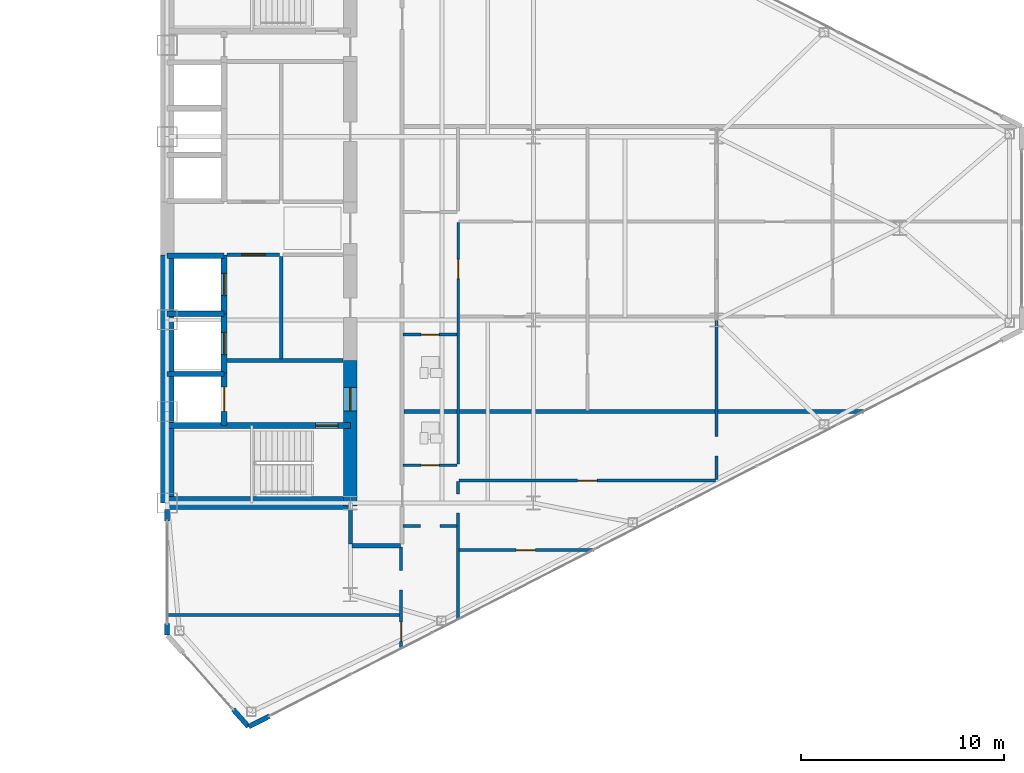
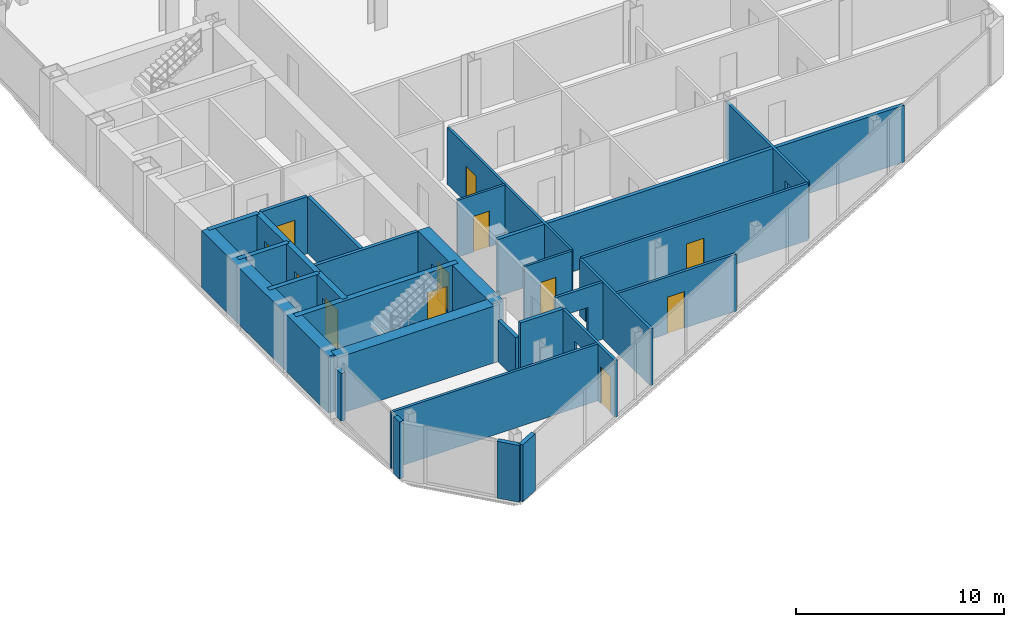
# One storey, part 18 of 23: 30 walls, 12 doors, 16 openings.
"""IFC4 building model written with IfcOpenShell, lengths in metres."""

from ifc_helpers import new_model, si_unit, direction, frame, frame_2d, origin, place, context, subcontext, project, spatial, rectangle, extrude, source, transform, mapped, material, layer, layer_set, type_object, type_shapes, element, fill, save


model = new_model("IFC4")

# Units and contexts
model_context = context("Model", 3, precision=1e-05, world=origin(), true_north=direction((0.0, 1.0)))
body_context = subcontext(model_context, "Body", "Model", "MODEL_VIEW")
ifc_project = project(units=[si_unit("LENGTHUNIT", "METRE"), si_unit("AREAUNIT", "SQUARE_METRE"), si_unit("VOLUMEUNIT", "CUBIC_METRE"), si_unit("PLANEANGLEUNIT", "RADIAN"), si_unit("MASSUNIT", "GRAM", prefix="KILO")], contexts=[model_context])

# Site, building, storey
site_placement = place(None, origin())
site = spatial("IfcSite", under=ifc_project, at=site_placement, CompositionType="ELEMENT")
building_placement = place(site_placement, origin())
building = spatial("IfcBuilding", under=site, at=building_placement, Name="Seokmaru Belvedere", CompositionType="ELEMENT")
storey_placement = place(building_placement, frame((0.0, 0.0, 132.0)))
storey = spatial("IfcBuildingStorey", under=building, at=storey_placement, Name="L35", CompositionType="ELEMENT", Elevation=132.0)

# Wall
ifc_material_1 = material(Name="Fire-Rated Gypsum Shaftwall")
ifc_layer_1 = layer(ifc_material_1, 0.14990234375)
ifc_layer_set_1 = layer_set([ifc_layer_1], Name="Fire-Rated Gypsum Shaftwall")
wall_type_1 = type_object("IfcWallType", Name="Apartment Fire-Acoustic Room Partition 150", PredefinedType="PARTITIONING", material=ifc_layer_set_1)
wall_1_placement = place(storey_placement, frame((27.465087890625, -19.0, 0.0), z_axis=(0.0, 0.0, 1.0), x_axis=(1.0, 0.0, 0.0)))
element("IfcWall", 1, at=wall_1_placement, inside=storey, type_object=wall_type_1, Name="L35 Interior Partition 001", PredefinedType="PARTITIONING", context=body_context, shape_type="SweptSolid", body=[
    extrude(rectangle(XDim=11.48486328125, YDim=0.14990234375, at=frame_2d((5.742431640625, 0.0))), origin(), (0.0, 0.0, 1.0), 3.340087890625),
])

# Wall, opening, door
wall_2_placement = place(storey_placement, frame((41.85009765625, -15.81005859375, 0.0), z_axis=(0.0, 0.0, 1.0), x_axis=(1.0, 0.0, 0.0)))
wall_2 = element("IfcWall", 2, at=wall_2_placement, inside=storey, type_object=wall_type_1, Name="L35 Interior Partition 002", PredefinedType="PARTITIONING", context=body_context, shape_type="SweptSolid", body=[
    extrude(rectangle(XDim=6.619873046875, YDim=0.14990234375, at=frame_2d((3.31005859375, 0.0))), origin(), (0.0, 0.0, 1.0), 3.340087890625),
])
opening_1_placement = place(wall_2_placement, frame((2.79248046875, 0.0, 0.0)))
opening_1 = element("IfcOpeningElement", 3, at=opening_1_placement, cuts=wall_2, Name="Opening D05", PredefinedType="OPENING", context=body_context, shape_type="SweptSolid", body=[
    extrude(rectangle(XDim=0.949951171875, YDim=2.14990234375, at=frame_2d((0.47509765625, 1.074951171875))), frame((0.0, 0.0849609375, 0.0), z_axis=(0.0, -1.0, 0.0), x_axis=(1.0, 0.0, 0.0)), (0.0, 0.0, 1.0), 0.169921875),
])
ifc_material_2 = material(Name="Engineered White Oak Timber", Category="wood")
door_type_1 = type_object("IfcDoorType", Name="Apartment Interior Fire-Rated Oak Door 950x2150", OperationType="NOTDEFINED", PredefinedType="DOOR", material=ifc_material_2)
shared_shape_1 = source(origin(), body_context, "Body", "SweptSolid", [
    extrude(rectangle(XDim=0.949951171875, YDim=2.14990234375, at=frame_2d((0.47509765625, 1.074951171875))), frame((0.0, 0.02490234375, 0.0), z_axis=(0.0, -1.0, 0.0), x_axis=(1.0, 0.0, 0.0)), (0.0, 0.0, 1.0), 0.050048828125),
])
type_shapes(door_type_1, [shared_shape_1])
door_1_placement = place(opening_1_placement, origin())
door_1 = element("IfcDoor", 4, at=door_1_placement, inside=storey, type_object=door_type_1, Name="L35 Interior Door 019", OperationType="SINGLE_SWING_RIGHT", OverallHeight=2.14990234375, OverallWidth=0.949951171875, PredefinedType="DOOR", context=body_context, shape_type="MappedRepresentation", body=[
    mapped(shared_shape_1, transform((0.0, 0.0, 0.0), scale=1.0)),
])
fill(opening_1, door_1)

# Wall, opening
wall_3_placement = place(storey_placement, frame((39.10009765625, -14.639892578125, 0.0), z_axis=(0.0, 0.0, 1.0), x_axis=(1.0, 0.0, 0.0)))
wall_3 = element("IfcWall", 5, at=wall_3_placement, inside=storey, type_object=wall_type_1, Name="L35 Interior Partition 005", PredefinedType="PARTITIONING", context=body_context, shape_type="SweptSolid", body=[
    extrude(rectangle(XDim=2.64990234375, YDim=0.14990234375, at=frame_2d((1.324951171875, 0.0))), origin(), (0.0, 0.0, 1.0), 3.340087890625),
])
opening_2_placement = place(wall_3_placement, frame((0.85009765625, 0.0, 0.0)))
element("IfcOpeningElement", 6, at=opening_2_placement, cuts=wall_3, Name="L35 Cased Opening 017", PredefinedType="OPENING", context=body_context, shape_type="SweptSolid", body=[
    extrude(rectangle(XDim=0.949951171875, YDim=2.14990234375, at=frame_2d((0.47509765625, 1.074951171875))), frame((0.0, 0.0849609375, 0.0), z_axis=(0.0, -1.0, 0.0), x_axis=(1.0, 0.0, 0.0)), (0.0, 0.0, 1.0), 0.169921875),
])

# Wall, opening, door
wall_4_placement = place(storey_placement, frame((41.85009765625, -12.39990234375, 0.0), z_axis=(0.0, 0.0, 1.0), x_axis=(1.0, 0.0, 0.0)))
wall_4 = element("IfcWall", 7, at=wall_4_placement, inside=storey, type_object=wall_type_1, Name="L35 Interior Partition 006", PredefinedType="PARTITIONING", context=body_context, shape_type="SweptSolid", body=[
    extrude(rectangle(XDim=12.599853515625, YDim=0.14990234375, at=frame_2d((6.2998046875, 0.0))), origin(), (0.0, 0.0, 1.0), 3.340087890625),
])
opening_3_placement = place(wall_4_placement, frame((5.824951171875, 0.0, 0.0)))
opening_3 = element("IfcOpeningElement", 8, at=opening_3_placement, cuts=wall_4, Name="Opening D05", PredefinedType="OPENING", context=body_context, shape_type="SweptSolid", body=[
    extrude(rectangle(XDim=0.949951171875, YDim=2.14990234375, at=frame_2d((0.47509765625, 1.074951171875))), frame((0.0, 0.0849609375, 0.0), z_axis=(0.0, -1.0, 0.0), x_axis=(1.0, 0.0, 0.0)), (0.0, 0.0, 1.0), 0.169921875),
])
door_2_placement = place(opening_3_placement, origin())
door_2 = element("IfcDoor", 9, at=door_2_placement, inside=storey, type_object=door_type_1, Name="L35 Interior Door 020", OperationType="SINGLE_SWING_LEFT", OverallHeight=2.14990234375, OverallWidth=0.949951171875, PredefinedType="DOOR", context=body_context, shape_type="MappedRepresentation", body=[
    mapped(shared_shape_1, transform((0.0, 0.0, 0.0), scale=1.0)),
])
fill(opening_3, door_2)

# Wall, openings, door
wall_5_placement = place(storey_placement, frame((39.0, -20.68603515625, 0.0), z_axis=(0.0, 0.0, 1.0), x_axis=(0.0, 1.0, 0.0)))
wall_5 = element("IfcWall", 10, at=wall_5_placement, inside=storey, type_object=wall_type_1, Name="L35 Interior Partition 031", PredefinedType="PARTITIONING", context=body_context, shape_type="SweptSolid", body=[
    extrude(rectangle(XDim=5.0361328125, YDim=0.14990234375, at=frame_2d((2.51806640625, 0.0))), origin(), (0.0, 0.0, 1.0), 3.340087890625),
])
opening_4_placement = place(wall_5_placement, frame((0.385498046875, 0.0, 0.0)))
opening_4 = element("IfcOpeningElement", 11, at=opening_4_placement, cuts=wall_5, Name="Opening D05", PredefinedType="OPENING", context=body_context, shape_type="SweptSolid", body=[
    extrude(rectangle(XDim=0.949951171875, YDim=2.14990234375, at=frame_2d((0.47509765625, 1.074951171875))), frame((0.0, 0.0849609375, 0.0), z_axis=(0.0, -1.0, 0.0), x_axis=(1.0, 0.0, 0.0)), (0.0, 0.0, 1.0), 0.169921875),
])
opening_5_placement = place(wall_5_placement, frame((2.910888671875, 0.0, 0.0)))
element("IfcOpeningElement", 12, at=opening_5_placement, cuts=wall_5, Name="L35 Cased Opening 022", PredefinedType="OPENING", context=body_context, shape_type="SweptSolid", body=[
    extrude(rectangle(XDim=0.949951171875, YDim=2.14990234375, at=frame_2d((0.47509765625, 1.074951171875))), frame((0.0, 0.0849609375, 0.0), z_axis=(0.0, -1.0, 0.0), x_axis=(1.0, 0.0, 0.0)), (0.0, 0.0, 1.0), 0.169921875),
])
door_3_placement = place(opening_4_placement, origin())
door_3 = element("IfcDoor", 13, at=door_3_placement, inside=storey, type_object=door_type_1, Name="L35 Interior Door 021", OperationType="SINGLE_SWING_LEFT", OverallHeight=2.14990234375, OverallWidth=0.949951171875, PredefinedType="DOOR", context=body_context, shape_type="MappedRepresentation", body=[
    mapped(shared_shape_1, transform((0.0, 0.0, 0.0), scale=1.0)),
])
fill(opening_4, door_3)

# Wall, opening
wall_6_placement = place(storey_placement, frame((41.800048828125, -19.25, 0.0), z_axis=(0.0, 0.0, 1.0), x_axis=(0.0, 1.0, 0.0)))
wall_6 = element("IfcWall", 14, at=wall_6_placement, inside=storey, type_object=wall_type_1, Name="L35 Interior Partition 033", PredefinedType="PARTITIONING", context=body_context, shape_type="SweptSolid", body=[
    extrude(rectangle(XDim=6.794921875, YDim=0.14990234375, at=frame_2d((3.3974609375, 0.0))), origin(), (0.0, 0.0, 1.0), 3.340087890625),
])
opening_6_placement = place(wall_6_placement, frame((5.25, 0.0, 0.0)))
element("IfcOpeningElement", 15, at=opening_6_placement, cuts=wall_6, Name="L35 Cased Opening 018", PredefinedType="OPENING", context=body_context, shape_type="SweptSolid", body=[
    extrude(rectangle(XDim=0.949951171875, YDim=2.14990234375, at=frame_2d((0.47509765625, 1.074951171875))), frame((0.0, 0.0849609375, 0.0), z_axis=(0.0, -1.0, 0.0), x_axis=(1.0, 0.0, 0.0)), (0.0, 0.0, 1.0), 0.169921875),
])

wall_7_placement = place(storey_placement, frame((54.5, -12.35498046875, 0.0), z_axis=(0.0, 0.0, 1.0), x_axis=(0.0, 1.0, 0.0)))
wall_7 = element("IfcWall", 16, at=wall_7_placement, inside=storey, type_object=wall_type_1, Name="L35 Interior Partition 037", PredefinedType="PARTITIONING", context=body_context, shape_type="SweptSolid", body=[
    extrude(rectangle(XDim=7.8349609375, YDim=0.14990234375, at=frame_2d((3.91748046875, 0.0))), origin(), (0.0, 0.0, 1.0), 3.340087890625),
])
opening_7_placement = place(wall_7_placement, frame((1.177490234375, 0.0, 0.0)))
element("IfcOpeningElement", 17, at=opening_7_placement, cuts=wall_7, Name="L35 Cased Opening 023", PredefinedType="OPENING", context=body_context, shape_type="SweptSolid", body=[
    extrude(rectangle(XDim=0.949951171875, YDim=2.14990234375, at=frame_2d((0.47509765625, 1.074951171875))), frame((0.0, 0.0849609375, 0.0), z_axis=(0.0, -1.0, 0.0), x_axis=(1.0, 0.0, 0.0)), (0.0, 0.0, 1.0), 0.169921875),
])

# Walls
ifc_layer_2 = layer(ifc_material_1, 0.179931640625)
ifc_layer_set_2 = layer_set([ifc_layer_2], Name="Fire-Rated Gypsum Shaftwall")
wall_type_2 = type_object("IfcWallType", Name="Core Service Fire Partition 180", PredefinedType="PARTITIONING", material=ifc_layer_set_2)
wall_8_placement = place(storey_placement, frame((30.449951171875, -6.5, 0.0), z_axis=(0.0, 0.0, 1.0), x_axis=(1.0, 0.0, 0.0)))
element("IfcWall", 18, at=wall_8_placement, inside=storey, type_object=wall_type_2, Name="L35 East Firefighting Lobby Partition", PredefinedType="PARTITIONING", context=body_context, shape_type="SweptSolid", body=[
    extrude(rectangle(XDim=5.699951171875, YDim=0.179931640625, at=frame_2d((2.85009765625, 0.0))), origin(), (0.0, 0.0, 1.0), 3.340087890625),
])
wall_9_placement = place(storey_placement, frame((33.10009765625, -6.419921875, 0.0), z_axis=(0.0, 0.0, 1.0), x_axis=(0.0, 1.0, 0.0)))
element("IfcWall", 19, at=wall_9_placement, inside=storey, type_object=wall_type_2, Name="L35 East South Core Service Back Wall", PredefinedType="PARTITIONING", context=body_context, shape_type="SweptSolid", body=[
    extrude(rectangle(XDim=5.0400390625, YDim=0.179931640625, at=frame_2d((2.52001953125, 0.0))), origin(), (0.0, 0.0, 1.0), 3.340087890625),
])

# Wall, opening, door
wall_10_placement = place(storey_placement, frame((30.449951171875, -1.300048828125, 0.0), z_axis=(0.0, 0.0, 1.0), x_axis=(1.0, 0.0, 0.0)))
wall_10 = element("IfcWall", 20, at=wall_10_placement, inside=storey, type_object=wall_type_2, Name="L35 East South Lift Lobby Foyer Wall", PredefinedType="PARTITIONING", context=body_context, shape_type="SweptSolid", body=[
    extrude(rectangle(XDim=2.570068359375, YDim=0.179931640625, at=frame_2d((1.28515625, 0.0))), origin(), (0.0, 0.0, 1.0), 3.340087890625),
])
opening_8_placement = place(wall_10_placement, frame((0.7099609375, 0.0, 0.0)))
opening_8 = element("IfcOpeningElement", 21, at=opening_8_placement, cuts=wall_10, Name="Opening D02", PredefinedType="OPENING", context=body_context, shape_type="SweptSolid", body=[
    extrude(rectangle(XDim=1.14990234375, YDim=2.199951171875, at=frame_2d((0.574951171875, 1.10009765625))), frame((0.0, 0.10009765625, 0.0), z_axis=(0.0, -1.0, 0.0), x_axis=(1.0, 0.0, 0.0)), (0.0, 0.0, 1.0), 0.199951171875),
])
ifc_material_3 = material(Name="Fire-Rated Steel Leaf", Category="steel")
door_type_2 = type_object("IfcDoorType", Name="Lobby and Vestibule Fire Door 1150x2200", OperationType="NOTDEFINED", PredefinedType="DOOR", material=ifc_material_3)
shared_shape_2 = source(origin(), body_context, "Body", "SweptSolid", [
    extrude(rectangle(XDim=1.14990234375, YDim=2.199951171875, at=frame_2d((0.574951171875, 1.10009765625))), frame((0.0, 0.02490234375, 0.0), z_axis=(0.0, -1.0, 0.0), x_axis=(1.0, 0.0, 0.0)), (0.0, 0.0, 1.0), 0.050048828125),
])
type_shapes(door_type_2, [shared_shape_2])
door_4_placement = place(opening_8_placement, origin())
door_4 = element("IfcDoor", 22, at=door_4_placement, inside=storey, type_object=door_type_2, Name="L35 East South Core Foyer Door", OperationType="SINGLE_SWING_RIGHT", OverallHeight=2.199951171875, OverallWidth=1.14990234375, PredefinedType="DOOR", context=body_context, shape_type="MappedRepresentation", body=[
    mapped(shared_shape_2, transform((0.0, 0.0, 0.0), scale=1.0)),
])
fill(opening_8, door_4)

# Walls
ifc_material_4 = material(Name="Concrete C50 (50 MPa)", Category="concrete")
ifc_layer_3 = layer(ifc_material_4, 0.25)
ifc_layer_set_3 = layer_set([ifc_layer_3], Name="Concrete C50 (50 MPa)")
wall_type_3 = type_object("IfcWallType", Name="Hoistway Transverse Concrete Divider Wall 250", PredefinedType="SHEAR", material=ifc_layer_set_3)
for number, where, z_axis, x_axis, name in (
    (23, (27.5, -7.14990234375, 0.0), (0.0, 0.0, 1.0), (1.0, 0.0, 0.0), "L35 East Hoistway Divider Core Wall 1"),
    (24, (27.5, -4.199951171875, 0.0), (0.0, 0.0, 1.0), (1.0, 0.0, 0.0), "L35 East Hoistway Divider Core Wall 2"),
    (25, (27.5, -1.35009765625, 0.0), (0.0, 0.0, 1.0), (1.0, 0.0, 0.0), "L35 East Hoistway Divider Core Wall 3"),
):
    element("IfcWall", number, at=place(storey_placement, frame(where, z_axis=z_axis, x_axis=x_axis)), inside=storey, type_object=wall_type_3, Name=name, PredefinedType="SHEAR", context=body_context, shape_type="SweptSolid", body=[
        extrude(rectangle(XDim=2.800048828125, YDim=0.25, at=frame_2d((1.39990234375, 0.0))), origin(), (0.0, 0.0, 1.0), 3.340087890625),
    ])
ifc_layer_4 = layer(ifc_material_1, 0.199951171875)
ifc_layer_set_4 = layer_set([ifc_layer_4], Name="Fire-Rated Gypsum Shaftwall")
wall_type_4 = type_object("IfcWallType", Name="Inter-Tenancy Fire Compartment Partition 200", PredefinedType="PARTITIONING", material=ifc_layer_set_4)
wall_11_placement = place(storey_placement, frame((36.5849609375, -15.60009765625, 0.0), z_axis=(0.0, 0.0, 1.0), x_axis=(1.0, 0.0, 0.0)))
element("IfcWall", 26, at=wall_11_placement, inside=storey, type_object=wall_type_4, Name="L35 Interior Partition 004", PredefinedType="PARTITIONING", context=body_context, shape_type="SweptSolid", body=[
    extrude(rectangle(XDim=2.380126953125, YDim=0.199951171875, at=frame_2d((1.18994140625, 0.0))), origin(), (0.0, 0.0, 1.0), 3.340087890625),
])
wall_12_placement = place(storey_placement, frame((39.1298828125, -9.0, 0.0), z_axis=(0.0, 0.0, 1.0), x_axis=(1.0, 0.0, 0.0)))
element("IfcWall", 27, at=wall_12_placement, inside=storey, type_object=wall_type_4, Name="L35 Interior Partition 008", PredefinedType="PARTITIONING", context=body_context, shape_type="SweptSolid", body=[
    extrude(rectangle(XDim=22.586181640625, YDim=0.199951171875, at=frame_2d((11.29296875, 0.0))), origin(), (0.0, 0.0, 1.0), 3.340087890625),
])
wall_13_placement = place(storey_placement, frame((36.5, -15.514892578125, 0.0), z_axis=(0.0, 0.0, 1.0), x_axis=(0.0, 1.0, 0.0)))
element("IfcWall", 28, at=wall_13_placement, inside=storey, type_object=wall_type_4, Name="L35 Interior Partition 029", PredefinedType="PARTITIONING", context=body_context, shape_type="SweptSolid", body=[
    extrude(rectangle(XDim=1.684814453125, YDim=0.199951171875, at=frame_2d((0.84228515625, 0.0))), origin(), (0.0, 0.0, 1.0), 2.43994140625),
])

# Wall, opening, door
ifc_layer_5 = layer(ifc_material_4, 0.300048828125)
ifc_layer_set_5 = layer_set([ifc_layer_5], Name="Concrete C50 (50 MPa)")
wall_type_5 = type_object("IfcWallType", Name="Internal Core Stair and Hoistway Wall 300", PredefinedType="SHEAR", material=ifc_layer_set_5)
wall_14_placement = place(storey_placement, frame((27.5, -9.699951171875, 0.0), z_axis=(0.0, 0.0, 1.0), x_axis=(1.0, 0.0, 0.0)))
wall_14 = element("IfcWall", 29, at=wall_14_placement, inside=storey, type_object=wall_type_5, Name="L35 East Stair ST-1 Enclosure Wall", PredefinedType="SHEAR", context=body_context, shape_type="SweptSolid", body=[
    extrude(rectangle(XDim=9.0, YDim=0.300048828125, at=frame_2d((4.5, 0.0))), origin(), (0.0, 0.0, 1.0), 3.340087890625),
])
opening_9_placement = place(wall_14_placement, frame((7.300048828125, 0.0, 0.0)))
opening_9 = element("IfcOpeningElement", 30, at=opening_9_placement, cuts=wall_14, Name="Opening D01", PredefinedType="OPENING", context=body_context, shape_type="SweptSolid", body=[
    extrude(rectangle(XDim=1.10009765625, YDim=2.199951171875, at=frame_2d((0.550048828125, 1.10009765625))), frame((0.0, 0.16015625, 0.0), z_axis=(0.0, -1.0, 0.0), x_axis=(1.0, 0.0, 0.0)), (0.0, 0.0, 1.0), 0.320068359375),
])
door_type_3 = type_object("IfcDoorType", Name="Special Escape Stair Smokeproof Fire Door 1100x2200", OperationType="NOTDEFINED", PredefinedType="DOOR", material=ifc_material_3)
shared_shape_3 = source(origin(), body_context, "Body", "SweptSolid", [
    extrude(rectangle(XDim=1.10009765625, YDim=2.199951171875, at=frame_2d((0.550048828125, 1.10009765625))), frame((0.0, 0.02490234375, 0.0), z_axis=(0.0, -1.0, 0.0), x_axis=(1.0, 0.0, 0.0)), (0.0, 0.0, 1.0), 0.050048828125),
])
type_shapes(door_type_3, [shared_shape_3])
door_5_placement = place(opening_9_placement, frame((1.10009765625, 0.0, 0.0), z_axis=(0.0, 0.0, 1.0), x_axis=(-1.0, 0.0, 0.0)))
door_5 = element("IfcDoor", 31, at=door_5_placement, inside=storey, type_object=door_type_3, Name="L35 East Special Escape Stair ST-1 Door", OperationType="SINGLE_SWING_RIGHT", OverallHeight=2.199951171875, OverallWidth=1.10009765625, PredefinedType="DOOR", context=body_context, shape_type="MappedRepresentation", body=[
    mapped(shared_shape_3, transform((0.0, 0.0, 0.0), scale=1.0)),
])
fill(opening_9, door_5)

wall_15_placement = place(storey_placement, frame((30.300048828125, -9.679931640625, 0.0), z_axis=(0.0, 0.0, 1.0), x_axis=(0.0, 1.0, 0.0)))
wall_15 = element("IfcWall", 32, at=wall_15_placement, inside=storey, type_object=wall_type_5, Name="L35 East Firefighting Lift Shaft Front Wall", PredefinedType="SHEAR", context=body_context, shape_type="SweptSolid", body=[
    extrude(rectangle(XDim=2.559814453125, YDim=0.300048828125, at=frame_2d((1.27978515625, 0.0))), origin(), (0.0, 0.0, 1.0), 3.340087890625),
])
opening_10_placement = place(wall_15_placement, frame((0.679931640625, 0.0, 0.0)))
opening_10 = element("IfcOpeningElement", 33, at=opening_10_placement, cuts=wall_15, Name="Opening LD2", PredefinedType="OPENING", context=body_context, shape_type="SweptSolid", body=[
    extrude(rectangle(XDim=1.199951171875, YDim=2.25, at=frame_2d((0.60009765625, 1.125))), frame((0.0, 0.16015625, 0.0), z_axis=(0.0, -1.0, 0.0), x_axis=(1.0, 0.0, 0.0)), (0.0, 0.0, 1.0), 0.320068359375),
])
ifc_material_5 = material(Name="Stainless Steel 316", Category="steel")
door_type_4 = type_object("IfcDoorType", Name="Firefighting Lift Sliding Landing Door 1200x2250", OperationType="DOUBLE_DOOR_SLIDING", PredefinedType="DOOR", material=ifc_material_5)
shared_shape_4 = source(origin(), body_context, "Body", "SweptSolid", [
    extrude(rectangle(XDim=1.199951171875, YDim=2.25, at=frame_2d((0.60009765625, 1.125))), frame((0.0, 0.02490234375, 0.0), z_axis=(0.0, -1.0, 0.0), x_axis=(1.0, 0.0, 0.0)), (0.0, 0.0, 1.0), 0.050048828125),
])
type_shapes(door_type_4, [shared_shape_4])
door_6_placement = place(opening_10_placement, origin())
door_6 = element("IfcDoor", 34, at=door_6_placement, inside=storey, type_object=door_type_4, Name="L35 East Firefighting Lift Landing Door", OperationType="DOUBLE_DOOR_SLIDING", OverallHeight=2.25, OverallWidth=1.199951171875, PredefinedType="DOOR", context=body_context, shape_type="MappedRepresentation", body=[
    mapped(shared_shape_4, transform((0.0, 0.0, 0.0), scale=1.0)),
])
fill(opening_10, door_6)

wall_16_placement = place(storey_placement, frame((30.300048828125, -7.1201171875, 0.0), z_axis=(0.0, 0.0, 1.0), x_axis=(0.0, 1.0, 0.0)))
wall_16 = element("IfcWall", 35, at=wall_16_placement, inside=storey, type_object=wall_type_5, Name="L35 East Low-Rise Lift PL-1 Front Wall", PredefinedType="SHEAR", context=body_context, shape_type="SweptSolid", body=[
    extrude(rectangle(XDim=2.920166015625, YDim=0.300048828125, at=frame_2d((1.4599609375, 0.0))), origin(), (0.0, 0.0, 1.0), 3.340087890625),
])
opening_11_placement = place(wall_16_placement, frame((0.909912109375, 0.0, 0.0)))
opening_11 = element("IfcOpeningElement", 36, at=opening_11_placement, cuts=wall_16, Name="Opening LD1", PredefinedType="OPENING", context=body_context, shape_type="SweptSolid", body=[
    extrude(rectangle(XDim=1.10009765625, YDim=2.199951171875, at=frame_2d((0.550048828125, 1.10009765625))), frame((0.0, 0.16015625, 0.0), z_axis=(0.0, -1.0, 0.0), x_axis=(1.0, 0.0, 0.0)), (0.0, 0.0, 1.0), 0.320068359375),
])
door_type_5 = type_object("IfcDoorType", Name="Passenger Lift Sliding Landing Door 1100x2200", OperationType="DOUBLE_DOOR_SLIDING", PredefinedType="DOOR", material=ifc_material_5)
shared_shape_5 = source(origin(), body_context, "Body", "SweptSolid", [
    extrude(rectangle(XDim=1.10009765625, YDim=2.199951171875, at=frame_2d((0.550048828125, 1.10009765625))), frame((0.0, 0.02490234375, 0.0), z_axis=(0.0, -1.0, 0.0), x_axis=(1.0, 0.0, 0.0)), (0.0, 0.0, 1.0), 0.050048828125),
])
type_shapes(door_type_5, [shared_shape_5])
door_7_placement = place(opening_11_placement, origin())
door_7 = element("IfcDoor", 37, at=door_7_placement, inside=storey, type_object=door_type_5, Name="L35 East Low-Rise Lift PL-1 Landing Door", OperationType="DOUBLE_DOOR_SLIDING", OverallHeight=2.199951171875, OverallWidth=1.10009765625, PredefinedType="DOOR", context=body_context, shape_type="MappedRepresentation", body=[
    mapped(shared_shape_5, transform((0.0, 0.0, 0.0), scale=1.0)),
])
fill(opening_11, door_7)

wall_17_placement = place(storey_placement, frame((30.300048828125, -4.199951171875, 0.0), z_axis=(0.0, 0.0, 1.0), x_axis=(0.0, 1.0, 0.0)))
wall_17 = element("IfcWall", 38, at=wall_17_placement, inside=storey, type_object=wall_type_5, Name="L35 East Low-Rise Lift PL-2 Front Wall", PredefinedType="SHEAR", context=body_context, shape_type="SweptSolid", body=[
    extrude(rectangle(XDim=2.8798828125, YDim=0.300048828125, at=frame_2d((1.43994140625, 0.0))), origin(), (0.0, 0.0, 1.0), 3.340087890625),
])
opening_12_placement = place(wall_17_placement, frame((0.889892578125, 0.0, 0.0)))
opening_12 = element("IfcOpeningElement", 39, at=opening_12_placement, cuts=wall_17, Name="Opening LD1", PredefinedType="OPENING", context=body_context, shape_type="SweptSolid", body=[
    extrude(rectangle(XDim=1.10009765625, YDim=2.199951171875, at=frame_2d((0.550048828125, 1.10009765625))), frame((0.0, 0.16015625, 0.0), z_axis=(0.0, -1.0, 0.0), x_axis=(1.0, 0.0, 0.0)), (0.0, 0.0, 1.0), 0.320068359375),
])
door_8_placement = place(opening_12_placement, origin())
door_8 = element("IfcDoor", 40, at=door_8_placement, inside=storey, type_object=door_type_5, Name="L35 East Low-Rise Lift PL-2 Landing Door", OperationType="DOUBLE_DOOR_SLIDING", OverallHeight=2.199951171875, OverallWidth=1.10009765625, PredefinedType="DOOR", context=body_context, shape_type="MappedRepresentation", body=[
    mapped(shared_shape_5, transform((0.0, 0.0, 0.0), scale=1.0)),
])
fill(opening_12, door_8)

# Walls
ifc_material_6 = material(Name="Concrete C60 (60 MPa)", Category="concrete")
ifc_layer_6 = layer(ifc_material_6, 0.64990234375)
ifc_layer_set_6 = layer_set([ifc_layer_6], Name="Concrete C60 (60 MPa)")
wall_type_6 = type_object("IfcWallType", Name="Mid-Low Reinforced Concrete Core Wall 650", PredefinedType="SHEAR", material=ifc_layer_set_6)
wall_18_placement = place(storey_placement, frame((27.5, -13.5, 0.0), z_axis=(0.0, 0.0, 1.0), x_axis=(0.0, 1.0, 0.0)))
element("IfcWall", 41, at=wall_18_placement, inside=storey, type_object=wall_type_6, Name="L35 East Portal Spine Core Wall South", PredefinedType="SHEAR", context=body_context, shape_type="SweptSolid", body=[
    extrude(rectangle(XDim=12.199951171875, YDim=0.64990234375, at=frame_2d((6.10009765625, 0.0))), origin(), (0.0, 0.0, 1.0), 3.340087890625),
])
wall_19_placement = place(storey_placement, frame((27.5, -13.5, 0.0), z_axis=(0.0, 0.0, 1.0), x_axis=(1.0, 0.0, 0.0)))
element("IfcWall", 42, at=wall_19_placement, inside=storey, type_object=wall_type_6, Name="L35 East South Core Wall", PredefinedType="SHEAR", context=body_context, shape_type="SweptSolid", body=[
    extrude(rectangle(XDim=9.0, YDim=0.64990234375, at=frame_2d((4.5, 0.0))), origin(), (0.0, 0.0, 1.0), 3.340087890625),
])

# Wall, opening, door
wall_20_placement = place(storey_placement, frame((36.5, -13.64990234375, 0.0), z_axis=(0.0, 0.0, 1.0), x_axis=(0.0, 1.0, 0.0)))
wall_20 = element("IfcWall", 43, at=wall_20_placement, inside=storey, type_object=wall_type_6, Name="L35 East West Core Wall FF", PredefinedType="SHEAR", context=body_context, shape_type="SweptSolid", body=[
    extrude(rectangle(XDim=7.14990234375, YDim=0.64990234375, at=frame_2d((3.574951171875, 0.0))), origin(), (0.0, 0.0, 1.0), 3.340087890625),
])
opening_13_placement = place(wall_20_placement, frame((4.675048828125, 0.0, 0.0)))
opening_13 = element("IfcOpeningElement", 44, at=opening_13_placement, cuts=wall_20, Name="Opening D02", PredefinedType="OPENING", context=body_context, shape_type="SweptSolid", body=[
    extrude(rectangle(XDim=1.14990234375, YDim=2.199951171875, at=frame_2d((0.574951171875, 1.10009765625))), frame((0.0, 0.3349609375, 0.0), z_axis=(0.0, -1.0, 0.0), x_axis=(1.0, 0.0, 0.0)), (0.0, 0.0, 1.0), 0.669921875),
])
door_9_placement = place(opening_13_placement, origin())
door_9 = element("IfcDoor", 45, at=door_9_placement, inside=storey, type_object=door_type_2, Name="L35 East Firefighting Lobby Door", OperationType="SINGLE_SWING_RIGHT", OverallHeight=2.199951171875, OverallWidth=1.14990234375, PredefinedType="DOOR", context=body_context, shape_type="MappedRepresentation", body=[
    mapped(shared_shape_2, transform((0.0, 0.0, 0.0), scale=1.0)),
])
fill(opening_13, door_9)

ifc_layer_7 = layer(ifc_material_1, 0.1298828125)
ifc_layer_set_7 = layer_set([ifc_layer_7], Name="Fire-Rated Gypsum Shaftwall")
wall_type_7 = type_object("IfcWallType", Name="Moisture-Resistant Fire-Rated Bathroom Partition 130", PredefinedType="PARTITIONING", material=ifc_layer_set_7)
wall_21_placement = place(storey_placement, frame((39.10009765625, -11.639892578125, 0.0), z_axis=(0.0, 0.0, 1.0), x_axis=(1.0, 0.0, 0.0)))
wall_21 = element("IfcWall", 46, at=wall_21_placement, inside=storey, type_object=wall_type_7, Name="L35 Interior Partition 007", PredefinedType="PARTITIONING", context=body_context, shape_type="SweptSolid", body=[
    extrude(rectangle(XDim=2.64990234375, YDim=0.1298828125, at=frame_2d((1.324951171875, 0.0))), origin(), (0.0, 0.0, 1.0), 3.340087890625),
])
opening_14_placement = place(wall_21_placement, frame((0.885009765625, 0.0, 0.0)))
opening_14 = element("IfcOpeningElement", 47, at=opening_14_placement, cuts=wall_21, Name="Opening D06", PredefinedType="OPENING", context=body_context, shape_type="SweptSolid", body=[
    extrude(rectangle(XDim=0.8798828125, YDim=2.10009765625, at=frame_2d((0.43994140625, 1.050048828125))), frame((0.0, 0.074951171875, 0.0), z_axis=(0.0, -1.0, 0.0), x_axis=(1.0, 0.0, 0.0)), (0.0, 0.0, 1.0), 0.14990234375),
])
door_type_6 = type_object("IfcDoorType", Name="Bathroom and Restroom Fire-Rated Door 880x2100", OperationType="NOTDEFINED", PredefinedType="DOOR", material=ifc_material_2)
shared_shape_6 = source(origin(), body_context, "Body", "SweptSolid", [
    extrude(rectangle(XDim=0.8798828125, YDim=2.10009765625, at=frame_2d((0.43994140625, 1.050048828125))), frame((0.0, 0.02490234375, 0.0), z_axis=(0.0, -1.0, 0.0), x_axis=(1.0, 0.0, 0.0)), (0.0, 0.0, 1.0), 0.050048828125),
])
type_shapes(door_type_6, [shared_shape_6])
door_10_placement = place(opening_14_placement, origin())
door_10 = element("IfcDoor", 48, at=door_10_placement, inside=storey, type_object=door_type_6, Name="L35 Interior Door 016", OperationType="SINGLE_SWING_RIGHT", OverallHeight=2.10009765625, OverallWidth=0.8798828125, PredefinedType="DOOR", context=body_context, shape_type="MappedRepresentation", body=[
    mapped(shared_shape_6, transform((0.0, 0.0, 0.0), scale=1.0)),
])
fill(opening_14, door_10)

wall_22_placement = place(storey_placement, frame((39.10009765625, -5.219970703125, 0.0), z_axis=(0.0, 0.0, 1.0), x_axis=(1.0, 0.0, 0.0)))
wall_22 = element("IfcWall", 49, at=wall_22_placement, inside=storey, type_object=wall_type_7, Name="L35 Interior Partition 010", PredefinedType="PARTITIONING", context=body_context, shape_type="SweptSolid", body=[
    extrude(rectangle(XDim=2.64990234375, YDim=0.1298828125, at=frame_2d((1.324951171875, 0.0))), origin(), (0.0, 0.0, 1.0), 3.340087890625),
])
opening_15_placement = place(wall_22_placement, frame((0.885009765625, 0.0, 0.0)))
opening_15 = element("IfcOpeningElement", 50, at=opening_15_placement, cuts=wall_22, Name="Opening D06", PredefinedType="OPENING", context=body_context, shape_type="SweptSolid", body=[
    extrude(rectangle(XDim=0.8798828125, YDim=2.10009765625, at=frame_2d((0.43994140625, 1.050048828125))), frame((0.0, 0.074951171875, 0.0), z_axis=(0.0, -1.0, 0.0), x_axis=(1.0, 0.0, 0.0)), (0.0, 0.0, 1.0), 0.14990234375),
])
door_11_placement = place(opening_15_placement, origin())
door_11 = element("IfcDoor", 51, at=door_11_placement, inside=storey, type_object=door_type_6, Name="L35 Interior Door 025", OperationType="SINGLE_SWING_RIGHT", OverallHeight=2.10009765625, OverallWidth=0.8798828125, PredefinedType="DOOR", context=body_context, shape_type="MappedRepresentation", body=[
    mapped(shared_shape_6, transform((0.0, 0.0, 0.0), scale=1.0)),
])
fill(opening_15, door_11)

wall_23_placement = place(storey_placement, frame((41.800048828125, -11.594970703125, 0.0), z_axis=(0.0, 0.0, 1.0), x_axis=(0.0, 1.0, 0.0)))
wall_23 = element("IfcWall", 52, at=wall_23_placement, inside=storey, type_object=wall_type_7, Name="L35 Interior Partition 034", PredefinedType="PARTITIONING", context=body_context, shape_type="SweptSolid", body=[
    extrude(rectangle(XDim=11.8779296875, YDim=0.1298828125, at=frame_2d((5.93896484375, 0.0))), origin(), (0.0, 0.0, 1.0), 3.340087890625),
])
opening_16_placement = place(wall_23_placement, frame((9.1201171875, 0.0, 0.0)))
opening_16 = element("IfcOpeningElement", 53, at=opening_16_placement, cuts=wall_23, Name="Opening D05", PredefinedType="OPENING", context=body_context, shape_type="SweptSolid", body=[
    extrude(rectangle(XDim=0.949951171875, YDim=2.14990234375, at=frame_2d((0.47509765625, 1.074951171875))), frame((0.0, 0.074951171875, 0.0), z_axis=(0.0, -1.0, 0.0), x_axis=(1.0, 0.0, 0.0)), (0.0, 0.0, 1.0), 0.14990234375),
])
door_12_placement = place(opening_16_placement, origin())
door_12 = element("IfcDoor", 54, at=door_12_placement, inside=storey, type_object=door_type_1, Name="L35 Interior Door 027", OperationType="SINGLE_SWING_LEFT", OverallHeight=2.14990234375, OverallWidth=0.949951171875, PredefinedType="DOOR", context=body_context, shape_type="MappedRepresentation", body=[
    mapped(shared_shape_1, transform((0.0, 0.0, 0.0), scale=1.0)),
])
fill(opening_16, door_12)

# Walls
ifc_material_7 = material(Name="Anodised Bronze Aluminium", Category="aluminium")
ifc_layer_8 = layer(ifc_material_7, 0.239990234375)
ifc_layer_set_8 = layer_set([ifc_layer_8], Name="Anodised Bronze Aluminium")
wall_type_8 = type_object("IfcWallType", Name="Tower Corner Spandrel Closure Wall 240", PredefinedType="SOLIDWALL", material=ifc_layer_set_8)
wall_24_placement = place(storey_placement, frame((31.5087890625, -24.495361328125, 0.0), z_axis=(0.0, 0.0, 1.0), x_axis=(0.889797395748, 0.456355776255, 0.0)))
element("IfcWall", 55, at=wall_24_placement, inside=storey, type_object=wall_type_8, Name="L35 E Corner Closure Pier 1A", PredefinedType="SOLIDWALL", context=body_context, shape_type="SweptSolid", body=[
    extrude(rectangle(XDim=1.14013671875, YDim=0.239990234375, at=frame_2d((0.570068359375, 0.0))), origin(), (0.0, 0.0, 1.0), 3.340087890625),
])
wall_25_placement = place(storey_placement, frame((27.5, -19.97998046875, 0.0), z_axis=(0.0, 0.0, 1.0), x_axis=(0.0, 1.0, 0.0)))
element("IfcWall", 56, at=wall_25_placement, inside=storey, type_object=wall_type_8, Name="L35 E Spine Closure Pier 1A", PredefinedType="SOLIDWALL", context=body_context, shape_type="SweptSolid", body=[
    extrude(rectangle(XDim=0.550048828125, YDim=0.239990234375, at=frame_2d((0.27490234375, 0.0))), origin(), (0.0, 0.0, 1.0), 3.340087890625),
])
wall_26_placement = place(storey_placement, frame((27.5, -14.3798828125, 0.0), z_axis=(0.0, 0.0, 1.0), x_axis=(0.0, 1.0, 0.0)))
element("IfcWall", 57, at=wall_26_placement, inside=storey, type_object=wall_type_8, Name="L35 E Spine Closure Pier 1B", PredefinedType="SOLIDWALL", context=body_context, shape_type="SweptSolid", body=[
    extrude(rectangle(XDim=0.5498046875, YDim=0.239990234375, at=frame_2d((0.27490234375, 0.0))), origin(), (0.0, 0.0, 1.0), 2.7900390625),
])
wall_27_placement = place(storey_placement, frame((30.736083984375, -23.640380859375, 0.0), z_axis=(0.0, 0.0, 1.0), x_axis=(0.664337252513, -0.747432950119, 0.0)))
element("IfcWall", 58, at=wall_27_placement, inside=storey, type_object=wall_type_8, Name="L35 E Corner Closure Pier 6B", PredefinedType="SOLIDWALL", context=body_context, shape_type="SweptSolid", body=[
    extrude(rectangle(XDim=1.139892578125, YDim=0.239990234375, at=frame_2d((0.56982421875, 0.0))), origin(), (0.0, 0.0, 1.0), 3.340087890625),
])

save(model, "model.ifc")
